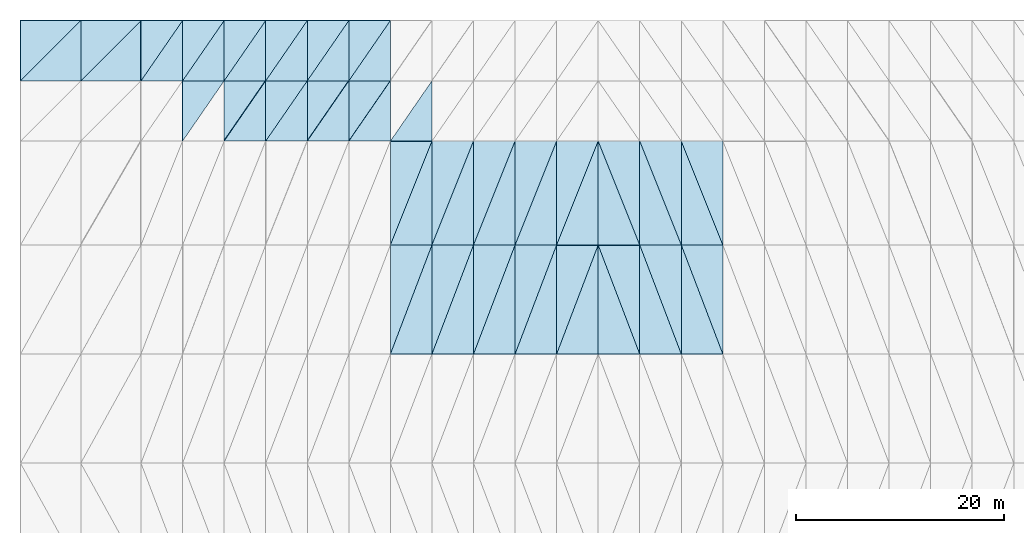
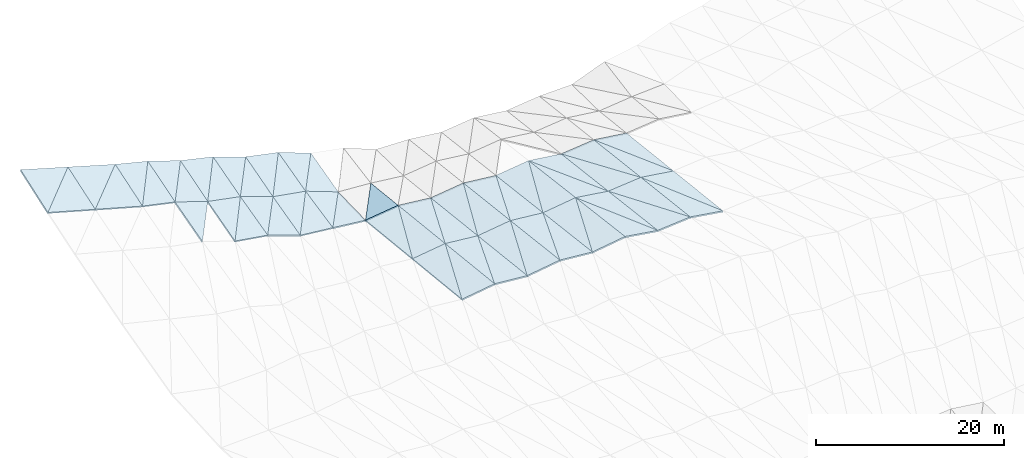
# One storey, part 30 of 42: 58 slabs, 3 elements without a shape of their own.
"""IFC4 building model written with IfcOpenShell, lengths in metres."""

import ifcopenshell
import ifcopenshell.guid

model = None  # the IFC model being written
_history = None  # IfcOwnerHistory: only IFC2X3 demands one
_inside = {}  # id of a spatial element -> (the spatial element, [elements in it])
_under = {}  # id of a project, library or spatial element -> (it, [spatial elements below it])
_declared = {}  # id of a project -> (the project, [libraries it declares])
_typed = {}  # id of a type object -> (the type object, [elements of that type])
_made_of = {}  # id of a material, layer set ... -> (it, [elements and type objects made of it])


def new_model(schema):
    """Start an empty IFC model of exactly this schema.

    Asked for "IFC4X3", IfcOpenShell would pick the latest addendum, in which some entities
    have other attributes; the version numbers below select the first issue.
    IFC2X3 requires an IfcOwnerHistory on every rooted entity: one is made here for all.
    """
    global model, _history
    if schema == "IFC4X3":
        model = ifcopenshell.file(schema_version=(4, 3, 0, 0))
    else:
        model = ifcopenshell.file(schema=schema)
    _inside.clear()
    _under.clear()
    _declared.clear()
    _typed.clear()
    _made_of.clear()
    _history = None
    if model.schema == "IFC2X3":
        org = make("IfcOrganization", Name="unknown")
        user = make(
            "IfcPersonAndOrganization",
            ThePerson=make("IfcPerson", FamilyName="unknown"),
            TheOrganization=org,
        )
        app = make(
            "IfcApplication",
            ApplicationDeveloper=org,
            Version="unknown",
            ApplicationFullName="unknown",
            ApplicationIdentifier="unknown",
        )
        _history = make(
            "IfcOwnerHistory",
            OwningUser=user,
            OwningApplication=app,
            ChangeAction="ADDED",
            CreationDate=0,
        )
    return model


def make(cls, **values):
    """One entity of the class cls with the attributes given. An attribute that is None is left unset."""
    return model.create_entity(
        cls, **{name: value for name, value in values.items() if value is not None}
    )


def rooted(cls, **values):
    """An entity with a GlobalId (a new one), such as an element, a storey or a relation."""
    return make(cls, GlobalId=ifcopenshell.guid.new(), OwnerHistory=_history, **values)


def si_unit(unit_type, name, prefix=None):
    """IfcSIUnit, for example si_unit("LENGTHUNIT", "METRE", prefix="MILLI")."""
    return make("IfcSIUnit", UnitType=unit_type, Prefix=prefix, Name=name)


def assignment(units):
    """IfcUnitAssignment: the units of a project."""
    return None if units is None else make("IfcUnitAssignment", Units=units)


def point(xyz):
    """IfcCartesianPoint."""
    return None if xyz is None else make("IfcCartesianPoint", Coordinates=xyz)


def direction(xyz):
    """IfcDirection."""
    return None if xyz is None else make("IfcDirection", DirectionRatios=xyz)


def frame(location, z_axis=None, x_axis=None):
    """IfcAxis2Placement3D, a coordinate frame: its origin and axes. An axis left out is left unset."""
    return make(
        "IfcAxis2Placement3D",
        Location=point(location),
        Axis=direction(z_axis),
        RefDirection=direction(x_axis),
    )


def origin():
    """The frame at (0, 0, 0) with its axes left unset."""
    return frame((0.0, 0.0, 0.0))


def place(relative_to, where):
    """IfcLocalPlacement: puts the frame where relative to a parent placement (None: the world)."""
    return make(
        "IfcLocalPlacement", PlacementRelTo=relative_to, RelativePlacement=where
    )


def context(
    kind, dimensions, precision=None, world=None, true_north=None, identifier=None
):
    """IfcGeometricRepresentationContext, for example the 3D "Model" context."""
    return make(
        "IfcGeometricRepresentationContext",
        ContextIdentifier=identifier,
        ContextType=kind,
        CoordinateSpaceDimension=dimensions,
        Precision=precision,
        WorldCoordinateSystem=world,
        TrueNorth=true_north,
    )


def subcontext(parent, identifier, kind, view, scale=None):
    """IfcGeometricRepresentationSubContext, for example "Body" below "Model"."""
    return make(
        "IfcGeometricRepresentationSubContext",
        ContextIdentifier=identifier,
        ContextType=kind,
        ParentContext=parent,
        TargetScale=scale,
        TargetView=view,
    )


def project(units=None, contexts=None):
    """IfcProject with its units and contexts."""
    return rooted(
        "IfcProject",
        Name="project",
        RepresentationContexts=contexts,
        UnitsInContext=assignment(units),
    )


def spatial(cls, under=None, at=None, **own):
    """A site, building, storey or space (cls), placed at a placement, below another one or the project."""
    s = rooted(cls, ObjectPlacement=at, **own)
    if under is not None:
        _under.setdefault(under.id(), (under, []))[1].append(s)
    return s


def polyline(points):
    """IfcPolyline through the points."""
    return make("IfcPolyline", Points=[point(p) for p in points])


def outline(outer, holes=None, kind="AREA"):
    """IfcArbitraryClosedProfileDef: a profile drawn as a closed curve; with holes, ...WithVoids."""
    if holes is None:
        return make("IfcArbitraryClosedProfileDef", ProfileType=kind, OuterCurve=outer)
    return make(
        "IfcArbitraryProfileDefWithVoids",
        ProfileType=kind,
        OuterCurve=outer,
        InnerCurves=holes,
    )


def extrude(swept, where, along, depth):
    """IfcExtrudedAreaSolid: the profile swept, set in the frame where, extruded along a direction by depth."""
    return make(
        "IfcExtrudedAreaSolid",
        SweptArea=swept,
        Position=where,
        ExtrudedDirection=direction(along),
        Depth=depth,
    )


def shape(context_of_items, identifier, shape_type, items):
    """IfcShapeRepresentation: the items that make up one representation, for example the "Body"."""
    return make(
        "IfcShapeRepresentation",
        ContextOfItems=context_of_items,
        RepresentationIdentifier=identifier,
        RepresentationType=shape_type,
        Items=items,
    )


def material(Name=None, Category=None):
    """IfcMaterial."""
    return make("IfcMaterial", Name=Name, Category=Category)


def layer(
    of_material, thickness, ventilated=None, Name=None, Category=None, Priority=None
):
    """IfcMaterialLayer: one layer of a wall or slab, of a material (None: an air gap)."""
    return make(
        "IfcMaterialLayer",
        Material=of_material,
        LayerThickness=thickness,
        IsVentilated=ventilated,
        Name=Name,
        Category=Category,
        Priority=Priority,
    )


def layer_set(layers, Name=None):
    """IfcMaterialLayerSet."""
    return make("IfcMaterialLayerSet", MaterialLayers=layers, LayerSetName=Name)


def made_of(thing, what):
    """Note that an element or type object is made of a material, layer set ...; save() writes the relation."""
    if what is not None:
        _made_of.setdefault(what.id(), (what, []))[1].append(thing)
    return thing


def type_object(cls, material=None, **own):
    """A type object (cls), such as IfcWallType, which elements share."""
    return made_of(rooted(cls, **own), material)


def element(
    cls,
    number,
    at=None,
    inside=None,
    cuts=None,
    type_object=None,
    material=None,
    context=None,
    identifier="Body",
    shape_type=None,
    held_by="IfcProductDefinitionShape",
    body=None,
    shapes=None,
    **own,
):
    """One element of the class cls, such as IfcWall. Its Tag is "e" and its number.

    at: its placement. inside: the storey or other place that contains it. cuts: it is an
    opening in that element (IfcRelVoidsElement). A single representation is given by context,
    identifier, shape_type and body (its items); several are given by shapes. held_by: the class
    of the entity that holds the representations. save() writes the other relations.
    """
    e = rooted(cls, Tag="e%d" % number, ObjectPlacement=at, **own)
    if body is not None:
        shapes = [shape(context, identifier, shape_type, body)]
    if shapes is not None:
        e.Representation = make(held_by, Representations=shapes)
    if inside is not None:
        _inside.setdefault(inside.id(), (inside, []))[1].append(e)
    if cuts is not None:
        rooted(
            "IfcRelVoidsElement", RelatingBuildingElement=cuts, RelatedOpeningElement=e
        )
    if type_object is not None:
        _typed.setdefault(type_object.id(), (type_object, []))[1].append(e)
    return made_of(e, material)


def aggregate(whole, parts):
    """IfcRelAggregates: a whole, such as a stair, and the parts it consists of."""
    return rooted("IfcRelAggregates", RelatingObject=whole, RelatedObjects=parts)


def save(model, path):
    """Write the relations noted so far, then the file.

    IfcRelAggregates (storeys below a building ...), IfcRelContainedInSpatialStructure (elements
    in a storey), IfcRelDefinesByType, IfcRelAssociatesMaterial and IfcRelDeclares: one each for
    every whole, place, type object, material and project.
    """
    for whole, parts in _under.values():
        aggregate(whole, parts)
    for where, things in _inside.values():
        rooted(
            "IfcRelContainedInSpatialStructure",
            RelatedElements=things,
            RelatingStructure=where,
        )
    for kind, things in _typed.values():
        rooted("IfcRelDefinesByType", RelatedObjects=things, RelatingType=kind)
    for what, things in _made_of.values():
        rooted("IfcRelAssociatesMaterial", RelatedObjects=things, RelatingMaterial=what)
    for by, libraries in _declared.values():
        rooted("IfcRelDeclares", RelatingContext=by, RelatedDefinitions=libraries)
    model.write(path)


model = new_model("IFC4")

# Units and contexts
model_context = context("Model", 3, precision=1e-05, world=origin(), true_north=direction((0.0, 1.0)))
body_context = subcontext(model_context, "Body", "Model", "MODEL_VIEW")
ifc_project = project(units=[si_unit("LENGTHUNIT", "METRE"), si_unit("AREAUNIT", "SQUARE_METRE"), si_unit("VOLUMEUNIT", "CUBIC_METRE"), si_unit("PLANEANGLEUNIT", "RADIAN"), si_unit("MASSUNIT", "GRAM", prefix="KILO")], contexts=[model_context])

# Site, building, storey
site_placement = place(None, origin())
site = spatial("IfcSite", under=ifc_project, at=site_placement, CompositionType="ELEMENT")
building_placement = place(site_placement, origin())
building = spatial("IfcBuilding", under=site, at=building_placement, Name="Khorjan Park Terminus", CompositionType="ELEMENT")
storey_placement = place(building_placement, frame((0.0, 0.0, 20.4)))
storey = spatial("IfcBuildingStorey", under=building, at=storey_placement, Name="L04", CompositionType="ELEMENT", Elevation=20.4)

# Roof, slabs
ifc_material = material(Name="Concrete C50/60", Category="concrete")
ifc_layer_1 = layer(ifc_material, 0.18)
ifc_layer_set_1 = layer_set([ifc_layer_1], Name="Concrete C50/60")
roof_type = type_object("IfcRoofType", Name="RF-SHELL-UPPER", PredefinedType="FREEFORM", material=ifc_layer_set_1)
roof_1_placement = place(storey_placement, origin())
roof_1 = element("IfcRoof", 1, at=roof_1_placement, inside=storey, type_object=roof_type, Name="Upper concourse upturned-corner folded concrete shell roof RF-CS1 (1)", PredefinedType="FREEFORM")
ifc_layer_2 = layer(ifc_material, 0.18)
ifc_layer_set_2 = layer_set([ifc_layer_2], Name="Concrete C50/60")
slab_type = type_object("IfcSlabType", Name="SL-SHL-180", PredefinedType="ROOF", material=ifc_layer_set_2)
slab_1_placement = place(storey_placement, frame((36.4, 93.8, 11.3523), z_axis=(0.255371541457, -0.310436819436, 0.915649691177), x_axis=(0.963239486929, 0.0, -0.268644171389)))
slab_1 = element("IfcSlab", 2, at=slab_1_placement, type_object=slab_type, Name="Upper concourse folded concrete shell facet RS-18 (19)", PredefinedType="ROOF", context=body_context, shape_type="SweptSolid", body=[
    extrude(outline(polyline([(0.0, 0.0), (6.021347835825469, 1.1102230246251565e-16), (5.49308593720623, 6.101448051607683), (0.0, 0.0)])), origin(), (0.0, 0.0, -1.0), 0.18),
])
slab_2_placement = place(storey_placement, frame((36.4, 93.8, 11.3523), z_axis=(0.263585106078, -0.318346250279, 0.910592420783), x_axis=(0.706468321519, 0.706468321519, 0.042485543198)))
slab_2 = element("IfcSlab", 3, at=slab_2_placement, type_object=slab_type, Name="Upper concourse folded concrete shell facet RS-18 (20)", PredefinedType="ROOF", context=body_context, shape_type="SweptSolid", body=[
    extrude(outline(polyline([(0.0, 0.0), (8.2098514870855, 5.551115123125783e-16), (4.183664200750755, 4.499835679817265), (0.0, 0.0)])), origin(), (0.0, 0.0, -1.0), 0.18),
])
slab_3_placement = place(storey_placement, frame((42.2, 93.8, 9.7347), z_axis=(0.254949295013, -0.300491235088, 0.919078818496), x_axis=(0.963612582455, 0.0, -0.267302807571)))
slab_3 = element("IfcSlab", 4, at=slab_3_placement, type_object=slab_type, Name="Upper concourse folded concrete shell facet RS-18 (39)", PredefinedType="ROOF", context=body_context, shape_type="SweptSolid", body=[
    extrude(outline(polyline([(0.0, 0.0), (6.019016465337171, 0.0), (5.512130151340505, 6.08103773665999), (0.0, 0.0)])), origin(), (0.0, 0.0, -1.0), 0.18),
])
slab_4_placement = place(storey_placement, frame((42.2, 93.8, 9.7347), z_axis=(0.264398728306, -0.30965673576, 0.913348793435), x_axis=(0.70667312765, 0.70667312765, 0.035016871877)))
slab_4 = element("IfcSlab", 5, at=slab_4_placement, type_object=slab_type, Name="Upper concourse folded concrete shell facet RS-18 (40)", PredefinedType="ROOF", context=body_context, shape_type="SweptSolid", body=[
    extrude(outline(polyline([(0.0, 0.0), (8.207472129712043, -1.6653345369377348e-16), (4.167561317226191, 4.487556309079572), (0.0, 0.0)])), origin(), (0.0, 0.0, -1.0), 0.18),
])
slab_5_placement = place(storey_placement, frame((48.0, 93.8, 8.1258), z_axis=(0.202728499291, -0.285423457833, 0.936714793998), x_axis=(0.977371995553, 0.0, -0.211527734137)))
slab_5 = element("IfcSlab", 6, at=slab_5_placement, type_object=slab_type, Name="Upper concourse folded concrete shell facet RS-18 (59)", PredefinedType="ROOF", context=body_context, shape_type="SweptSolid", body=[
    extrude(outline(polyline([(0.0, 0.0), (4.09260754165361, -2.7755575615628914e-17), (3.71877457711242, 6.051743402080289), (0.0, 0.0)])), origin(), (0.0, 0.0, -1.0), 0.18),
])
slab_6_placement = place(storey_placement, frame((48.0, 93.8, 8.1258), z_axis=(0.230024559333, -0.302427397526, 0.925000741259), x_axis=(0.563140807519, 0.816554170903, 0.126931938015)))
slab_6 = element("IfcSlab", 7, at=slab_6_placement, type_object=slab_type, Name="Upper concourse folded concrete shell facet RS-18 (60)", PredefinedType="ROOF", context=body_context, shape_type="SweptSolid", body=[
    extrude(outline(polyline([(0.0, 0.0), (7.103019256626014, 3.3306690738754696e-16), (4.976715225292988, 3.531042233723201), (0.0, 0.0)])), origin(), (0.0, 0.0, -1.0), 0.18),
])
slab_7_placement = place(storey_placement, frame((52.0, 88.0, 5.6505), z_axis=(0.306984365035, -0.254498742736, 0.917055608766), x_axis=(0.567314684787, 0.822606292941, 0.038378838426)))
slab_7 = element("IfcSlab", 8, at=slab_7_placement, type_object=slab_type, Name="Upper concourse folded concrete shell facet RS-18 (78)", PredefinedType="ROOF", context=body_context, shape_type="SweptSolid", body=[
    extrude(outline(polyline([(0.0, 0.0), (7.050760551883745, 6.661338147750939e-16), (4.832891077388246, 3.588032329021167), (0.0, 0.0)])), origin(), (0.0, 0.0, -1.0), 0.18),
])
slab_8_placement = place(storey_placement, frame((52.0, 93.8, 7.2601), z_axis=(0.304722123634, -0.280183325236, 0.910297606076), x_axis=(0.948279508814, 0.0, -0.317436565575)))
slab_8 = element("IfcSlab", 9, at=slab_8_placement, type_object=slab_type, Name="Upper concourse folded concrete shell facet RS-18 (79)", PredefinedType="ROOF", context=body_context, shape_type="SweptSolid", body=[
    extrude(outline(polyline([(0.0, 0.0), (4.218165596559718, 0.0), (3.6514778396946097, 6.0420033123310315), (0.0, 0.0)])), origin(), (0.0, 0.0, -1.0), 0.18),
])
slab_9_placement = place(storey_placement, frame((52.0, 93.8, 7.2601), z_axis=(0.301256550335, -0.277934898247, 0.912138521945), x_axis=(0.566597847048, 0.82156687822, 0.063203989838)))
slab_9 = element("IfcSlab", 10, at=slab_9_placement, type_object=slab_type, Name="Upper concourse folded concrete shell facet RS-18 (80)", PredefinedType="ROOF", context=body_context, shape_type="SweptSolid", body=[
    extrude(outline(polyline([(0.0, 0.0), (7.059680902137147, 4.440892098500626e-16), (4.876788304918648, 3.6028162760552576), (0.0, 0.0)])), origin(), (0.0, 0.0, -1.0), 0.18),
])
slab_10_placement = place(storey_placement, frame((56.0, 88.0, 4.301), z_axis=(0.150588125048, -0.243685768742, 0.958092095107), x_axis=(0.987872255403, 0.0, -0.155268821743)))
slab_10 = element("IfcSlab", 11, at=slab_10_placement, type_object=slab_type, Name="Upper concourse folded concrete shell facet RS-18 (97)", PredefinedType="ROOF", context=body_context, shape_type="SweptSolid", body=[
    extrude(outline(polyline([(0.0, 0.0), (4.049106529840874, 2.7755575615628914e-17), (3.820053964005701, 5.980280090604813), (0.0, 0.0)])), origin(), (0.0, 0.0, -1.0), 0.18),
])
slab_11_placement = place(storey_placement, frame((56.0, 88.0, 4.301), z_axis=(0.183120010139, -0.264480198647, 0.946845967626), x_axis=(0.56367912846, 0.817334736267, 0.11928859556)))
slab_11 = element("IfcSlab", 12, at=slab_11_placement, type_object=slab_type, Name="Upper concourse folded concrete shell facet RS-18 (98)", PredefinedType="ROOF", context=body_context, shape_type="SweptSolid", body=[
    extrude(outline(polyline([(0.0, 0.0), (7.096235780327482, 3.885780586188048e-16), (4.933800924013864, 3.4528730721241288), (0.0, 0.0)])), origin(), (0.0, 0.0, -1.0), 0.18),
])
slab_12_placement = place(storey_placement, frame((56.0, 93.8, 5.9211), z_axis=(0.182899528661, -0.268678318411, 0.945705939302), x_axis=(0.981807019959, 0.0, -0.18988147766)))
slab_12 = element("IfcSlab", 13, at=slab_12_placement, type_object=slab_type, Name="Upper concourse folded concrete shell facet RS-18 (99)", PredefinedType="ROOF", context=body_context, shape_type="SweptSolid", body=[
    extrude(outline(polyline([(0.0, 0.0), (4.074120390955574, -2.7755575615628914e-17), (3.7612336920671754, 6.02140737316939), (0.0, 0.0)])), origin(), (0.0, 0.0, -1.0), 0.18),
])
slab_13_placement = place(storey_placement, frame((56.0, 93.8, 5.9211), z_axis=(0.212692000557, -0.287442945906, 0.933883646793), x_axis=(0.563412551479, 0.816948199644, 0.123133813126)))
slab_13 = element("IfcSlab", 14, at=slab_13_placement, type_object=slab_type, Name="Upper concourse folded concrete shell facet RS-18 (100)", PredefinedType="ROOF", context=body_context, shape_type="SweptSolid", body=[
    extrude(outline(polyline([(0.0, 0.0), (7.099593343283824, 5.551115123125783e-17), (4.958118041126901, 3.499143399498214), (0.0, 0.0)])), origin(), (0.0, 0.0, -1.0), 0.18),
])
slab_14_placement = place(storey_placement, frame((60.0, 88.0, 3.6723), z_axis=(0.324587654526, -0.233461953105, 0.916590623442), x_axis=(0.942639584618, 0.0, -0.333812242903)))
slab_14 = element("IfcSlab", 15, at=slab_14_placement, type_object=slab_type, Name="Upper concourse folded concrete shell facet RS-18 (117)", PredefinedType="ROOF", context=body_context, shape_type="SweptSolid", body=[
    extrude(outline(polyline([(0.0, 0.0), (4.243403380542557, 0.0), (3.7502625541023327, 5.964832555512169), (0.0, 0.0)])), origin(), (0.0, 0.0, -1.0), 0.18),
])
slab_15_placement = place(storey_placement, frame((60.0, 88.0, 3.6723), z_axis=(0.324182150725, -0.233184539685, 0.916804724902), x_axis=(0.567711817738, 0.82318213572, 0.00862921963)))
slab_15 = element("IfcSlab", 16, at=slab_15_placement, type_object=slab_type, Name="Upper concourse folded concrete shell facet RS-18 (118)", PredefinedType="ROOF", context=body_context, shape_type="SweptSolid", body=[
    extrude(outline(polyline([(0.0, 0.0), (7.045828314683801, -8.534839501805891e-16), (4.787186211975373, 3.5915265851546816), (0.0, 0.0)])), origin(), (0.0, 0.0, -1.0), 0.18),
])
slab_16_placement = place(storey_placement, frame((60.0, 93.8, 5.1475), z_axis=(0.321894998392, -0.260136512295, 0.910336533915), x_axis=(0.942795230781, 0.0, -0.333372393604)))
slab_16 = element("IfcSlab", 17, at=slab_16_placement, type_object=slab_type, Name="Upper concourse folded concrete shell facet RS-18 (119)", PredefinedType="ROOF", context=body_context, shape_type="SweptSolid", body=[
    extrude(outline(polyline([(0.0, 0.0), (4.2427028366360995, 5.551115123125783e-17), (3.690171431476773, 6.006803126981326), (0.0, 0.0)])), origin(), (0.0, 0.0, -1.0), 0.18),
])
slab_17_placement = place(storey_placement, frame((60.0, 93.8, 5.1475), z_axis=(0.320059797691, -0.258912563151, 0.911331997981), x_axis=(0.567395584892, 0.822723598093, 0.034469281782)))
slab_17 = element("IfcSlab", 18, at=slab_17_placement, type_object=slab_type, Name="Upper concourse folded concrete shell facet RS-18 (120)", PredefinedType="ROOF", context=body_context, shape_type="SweptSolid", body=[
    extrude(outline(polyline([(0.0, 0.0), (7.04975524397833, 9.020562075079397e-16), (4.828595351459354, 3.61108180077177), (0.0, 0.0)])), origin(), (0.0, 0.0, -1.0), 0.18),
])
slab_18_placement = place(storey_placement, frame((64.0, 88.0, 2.2558), z_axis=(0.100756100536, -0.203104120929, 0.973959405862), x_axis=(0.994691618291, 0.0, -0.102900847912)))
slab_18 = element("IfcSlab", 19, at=slab_18_placement, type_object=slab_type, Name="Upper concourse folded concrete shell facet RS-18 (137)", PredefinedType="ROOF", context=body_context, shape_type="SweptSolid", body=[
    extrude(outline(polyline([(0.0, 0.0), (4.021346844031238, -1.3877787807814457e-17), (3.896888268481392, 5.9234618520736735), (0.0, 0.0)])), origin(), (0.0, 0.0, -1.0), 0.18),
])
slab_19_placement = place(storey_placement, frame((64.0, 88.0, 2.2558), z_axis=(0.162921516608, -0.243528367821, 0.956112186667), x_axis=(0.564146622054, 0.818012601978, 0.112222866792)))
slab_19 = element("IfcSlab", 20, at=slab_19_placement, type_object=slab_type, Name="Upper concourse folded concrete shell facet RS-18 (138)", PredefinedType="ROOF", context=body_context, shape_type="SweptSolid", body=[
    extrude(outline(polyline([(0.0, 0.0), (7.090355314792057, 8.604228440844963e-16), (4.910259932582944, 3.4222452694788705), (0.0, 0.0)])), origin(), (0.0, 0.0, -1.0), 0.18),
])
slab_20_placement = place(storey_placement, frame((64.0, 93.8, 3.7331), z_axis=(0.162694380811, -0.248851683131, 0.954779230113), x_axis=(0.985790621278, 0.0, -0.167978721866)))
slab_20 = element("IfcSlab", 21, at=slab_20_placement, type_object=slab_type, Name="Upper concourse folded concrete shell facet RS-18 (139)", PredefinedType="ROOF", context=body_context, shape_type="SweptSolid", body=[
    extrude(outline(polyline([(0.0, 0.0), (4.057656781937083, 2.7755575615628914e-17), (3.80372334809251, 5.98838498271244), (0.0, 0.0)])), origin(), (0.0, 0.0, -1.0), 0.18),
])
slab_21_placement = place(storey_placement, frame((64.0, 93.8, 3.7331), z_axis=(0.19504550156, -0.26948354163, 0.94304606097), x_axis=(0.563833084628, 0.81755797271, 0.117009460887)))
slab_21 = element("IfcSlab", 22, at=slab_21_placement, type_object=slab_type, Name="Upper concourse folded concrete shell facet RS-18 (140)", PredefinedType="ROOF", context=body_context, shape_type="SweptSolid", body=[
    extrude(outline(polyline([(0.0, 0.0), (7.0942981337127335, 2.220446049250313e-16), (4.935767722193933, 3.467732941353542), (0.0, 0.0)])), origin(), (0.0, 0.0, -1.0), 0.18),
])
aggregate(roof_1, [slab_1, slab_2, slab_3, slab_4, slab_5, slab_6, slab_7, slab_8, slab_9, slab_10, slab_11, slab_12, slab_13, slab_14, slab_15, slab_16, slab_17, slab_18, slab_19, slab_20, slab_21])

roof_2_placement = place(storey_placement, origin())
roof_2 = element("IfcRoof", 23, at=roof_2_placement, inside=storey, type_object=roof_type, Name="Upper concourse upturned-corner folded concrete shell roof RF-CS1 (2)", PredefinedType="FREEFORM")
slab_22_placement = place(storey_placement, frame((68.0, 88.0, 1.842), z_axis=(0.106701894098, -0.025551695887, 0.993962683723), x_axis=(0.994287316425, 0.0, -0.106736743418)))
slab_22 = element("IfcSlab", 24, at=slab_22_placement, type_object=slab_type, Name="Upper concourse folded concrete shell facet RS-18 (157)", PredefinedType="ROOF", context=body_context, shape_type="SweptSolid", body=[
    extrude(outline(polyline([(0.0, 0.0), (4.022982023325484, -1.734723475976807e-18), (4.00706757488182, 5.80189430620127), (0.0, 0.0)])), origin(), (0.0, 0.0, -1.0), 0.18),
])
slab_23_placement = place(storey_placement, frame((68.0, 88.0, 1.842), z_axis=(0.342548023853, -0.191792388171, 0.919715462083), x_axis=(0.5672841966, 0.82256208507, -0.039752440077)))
slab_23 = element("IfcSlab", 25, at=slab_23_placement, type_object=slab_type, Name="Upper concourse folded concrete shell facet RS-18 (158)", PredefinedType="ROOF", context=body_context, shape_type="SweptSolid", body=[
    extrude(outline(polyline([(0.0, 0.0), (7.051139488763498, 4.0245584642661925e-16), (4.722779517135846, 3.5774633307026464), (0.0, 0.0)])), origin(), (0.0, 0.0, -1.0), 0.18),
])
slab_24_placement = place(storey_placement, frame((68.0, 93.8, 3.0515), z_axis=(0.339044014736, -0.237464688292, 0.91030746338), x_axis=(0.937112467786, 0.0, -0.349027538627)))
slab_24 = element("IfcSlab", 26, at=slab_24_placement, type_object=slab_type, Name="Upper concourse folded concrete shell facet RS-18 (159)", PredefinedType="ROOF", context=body_context, shape_type="SweptSolid", body=[
    extrude(outline(polyline([(0.0, 0.0), (4.268431098190528, 0.0), (3.7403524322480135, 5.970787378778141), (0.0, 0.0)])), origin(), (0.0, 0.0, -1.0), 0.18),
])
slab_25_placement = place(storey_placement, frame((68.0, 93.8, 3.0515), z_axis=(0.338798545373, -0.237295940621, 0.910442849507), x_axis=(0.567729877902, 0.823208322958, 0.003292833292)))
slab_25 = element("IfcSlab", 27, at=slab_25_placement, type_object=slab_type, Name="Upper concourse folded concrete shell facet RS-18 (160)", PredefinedType="ROOF", context=body_context, shape_type="SweptSolid", body=[
    extrude(outline(polyline([(0.0, 0.0), (7.0456041784931385, 4.3368086899420177e-16), (4.7795860492410105, 3.6167380452419686), (0.0, 0.0)])), origin(), (0.0, 0.0, -1.0), 0.18),
])
slab_26_placement = place(storey_placement, frame((72.0, 67.5, 3.5908), z_axis=(-0.149531651523, 0.108453327462, 0.982791005736), x_axis=(0.988622353186, 0.0, 0.150418891037)))
slab_26 = element("IfcSlab", 28, at=slab_26_placement, type_object=slab_type, Name="Upper concourse folded concrete shell facet RS-18 (173)", PredefinedType="ROOF", context=body_context, shape_type="SweptSolid", body=[
    extrude(outline(polyline([(0.0, 0.0), (4.046034349829473, 0.0), (3.8717439807846024, 10.562301290782148), (0.0, 0.0)])), origin(), (0.0, 0.0, -1.0), 0.18),
])
slab_27_placement = place(storey_placement, frame((72.0, 67.5, 3.5908), z_axis=(-0.139238762803, 0.104633048871, 0.984715437077), x_axis=(0.355569448482, 0.933369802265, -0.048899688402)))
slab_27 = element("IfcSlab", 29, at=slab_27_placement, type_object=slab_type, Name="Upper concourse folded concrete shell facet RS-18 (174)", PredefinedType="ROOF", context=body_context, shape_type="SweptSolid", body=[
    extrude(outline(polyline([(0.0, 0.0), (11.2495604363015, 4.718447854656915e-16), (9.854940306134175, 3.7914295526268287), (0.0, 0.0)])), origin(), (0.0, 0.0, -1.0), 0.18),
])
slab_28_placement = place(storey_placement, frame((72.0, 78.0, 2.4751), z_axis=(-0.139178804369, 0.108626399223, 0.984291402892), x_axis=(0.990150474603, 0.0, 0.140007277109)))
slab_28 = element("IfcSlab", 30, at=slab_28_placement, type_object=slab_type, Name="Upper concourse folded concrete shell facet RS-18 (175)", PredefinedType="ROOF", context=body_context, shape_type="SweptSolid", body=[
    extrude(outline(polyline([(0.0, 0.0), (4.039790014344805, -1.3877787807814457e-17), (3.8852779833274615, 10.059525783667485), (0.0, 0.0)])), origin(), (0.0, 0.0, -1.0), 0.18),
])
slab_29_placement = place(storey_placement, frame((72.0, 78.0, 2.4751), z_axis=(-0.129296562472, 0.104768425264, 0.986055767186), x_axis=(0.370928193379, 0.927320483447, -0.049889842009)))
slab_29 = element("IfcSlab", 31, at=slab_29_placement, type_object=slab_type, Name="Upper concourse folded concrete shell facet RS-18 (176)", PredefinedType="ROOF", context=body_context, shape_type="SweptSolid", body=[
    extrude(outline(polyline([(0.0, 0.0), (10.783758342989703, -4.0245584642661925e-16), (9.326212791607997, 3.7617364628117427), (0.0, 0.0)])), origin(), (0.0, 0.0, -1.0), 0.18),
])
slab_30_placement = place(storey_placement, frame((72.0, 88.0, 1.4126), z_axis=(-0.129240848662, 0.108759269115, 0.985630876352), x_axis=(0.9915124119, 0.0, 0.13001206501)))
slab_30 = element("IfcSlab", 32, at=slab_30_placement, type_object=slab_type, Name="Upper concourse folded concrete shell facet RS-18 (177)", PredefinedType="ROOF", context=body_context, shape_type="SweptSolid", body=[
    extrude(outline(polyline([(0.0, 0.0), (4.034240975697907, -6.938893903907228e-18), (3.95103325409126, 5.834610224776373), (0.0, 0.0)])), origin(), (0.0, 0.0, -1.0), 0.18),
])
slab_31_placement = place(storey_placement, frame((76.0, 67.5, 4.1994), z_axis=(0.085451349086, 0.113298780999, 0.989879514468), x_axis=(0.996294693349, 0.0, -0.086005139403)))
slab_31 = element("IfcSlab", 33, at=slab_31_placement, type_object=slab_type, Name="Upper concourse folded concrete shell facet RS-18 (193)", PredefinedType="ROOF", context=body_context, shape_type="SweptSolid", body=[
    extrude(outline(polyline([(0.0, 0.0), (4.014876348033647, 0.0), (4.118237324568639, 10.568048057637219), (0.0, 0.0)])), origin(), (0.0, 0.0, -1.0), 0.18),
])
slab_32_placement = place(storey_placement, frame((76.0, 67.5, 4.1994), z_axis=(0.096067723655, 0.109179217693, 0.989368935684), x_axis=(0.352667985082, 0.925753460841, -0.13640315993)))
slab_32 = element("IfcSlab", 34, at=slab_32_placement, type_object=slab_type, Name="Upper concourse folded concrete shell facet RS-18 (194)", PredefinedType="ROOF", context=body_context, shape_type="SweptSolid", body=[
    extrude(outline(polyline([(0.0, 0.0), (11.342112607887474, 4.579669976578771e-16), (9.878461680241465, 3.7428038316215524), (0.0, 0.0)])), origin(), (0.0, 0.0, -1.0), 0.18),
])
slab_33_placement = place(storey_placement, frame((76.0, 78.0, 3.0407), z_axis=(0.096024334606, 0.113192022029, 0.988922086573), x_axis=(0.995318870818, 0.0, -0.096645462356)))
slab_33 = element("IfcSlab", 35, at=slab_33_placement, type_object=slab_type, Name="Upper concourse folded concrete shell facet RS-18 (195)", PredefinedType="ROOF", context=body_context, shape_type="SweptSolid", body=[
    extrude(outline(polyline([(0.0, 0.0), (4.01881258085022, 0.0), (4.1294329770633595, 10.064684410747397), (0.0, 0.0)])), origin(), (0.0, 0.0, -1.0), 0.18),
])
slab_34_placement = place(storey_placement, frame((76.0, 78.0, 3.0407), z_axis=(0.106099902811, 0.109074851181, 0.988354940021), x_axis=(0.367684817176, 0.919212042939, -0.140915206183)))
slab_34 = element("IfcSlab", 36, at=slab_34_placement, type_object=slab_type, Name="Upper concourse folded concrete shell facet RS-18 (196)", PredefinedType="ROOF", context=body_context, shape_type="SweptSolid", body=[
    extrude(outline(polyline([(0.0, 0.0), (10.87888270917561, -3.7470027081099033e-16), (9.347634450937667, 3.7201697718845135), (0.0, 0.0)])), origin(), (0.0, 0.0, -1.0), 0.18),
])
slab_35_placement = place(storey_placement, frame((80.0, 67.5, 3.8541), z_axis=(-0.149396287227, 0.116406740429, 0.981901329129), x_axis=(0.988622353186, 0.0, 0.150418891037)))
slab_35 = element("IfcSlab", 37, at=slab_35_placement, type_object=slab_type, Name="Upper concourse folded concrete shell facet RS-18 (213)", PredefinedType="ROOF", context=body_context, shape_type="SweptSolid", body=[
    extrude(outline(polyline([(0.0, 0.0), (4.046034349829473, 0.0), (3.858792914266294, 10.571871531796452), (0.0, 0.0)])), origin(), (0.0, 0.0, -1.0), 0.18),
])
slab_36_placement = place(storey_placement, frame((80.0, 67.5, 3.8541), z_axis=(-0.139116744555, 0.112608946997, 0.983852507463), x_axis=(0.355426045485, 0.932993369399, -0.056530512534)))
slab_36 = element("IfcSlab", 38, at=slab_36_placement, type_object=slab_type, Name="Upper concourse folded concrete shell facet RS-18 (214)", PredefinedType="ROOF", context=body_context, shape_type="SweptSolid", body=[
    extrude(outline(polyline([(0.0, 0.0), (11.254099272709478, -1.5265566588595902e-16), (9.864368748657103, 3.7932245425913185), (0.0, 0.0)])), origin(), (0.0, 0.0, -1.0), 0.18),
])
slab_37_placement = place(storey_placement, frame((80.0, 78.0, 2.6523), z_axis=(-0.139052419173, 0.116591618226, 0.983397589626), x_axis=(0.990150474603, 0.0, 0.140007277109)))
slab_37 = element("IfcSlab", 39, at=slab_37_placement, type_object=slab_type, Name="Upper concourse folded concrete shell facet RS-18 (215)", PredefinedType="ROOF", context=body_context, shape_type="SweptSolid", body=[
    extrude(outline(polyline([(0.0, 0.0), (4.039790014344805, 0.0), (3.8737973866045348, 10.068668919352541), (0.0, 0.0)])), origin(), (0.0, 0.0, -1.0), 0.18),
])
slab_38_placement = place(storey_placement, frame((80.0, 78.0, 2.6523), z_axis=(-0.129207030961, 0.112764290994, 0.985185138858), x_axis=(0.370776845584, 0.926942113959, -0.057470411065)))
slab_38 = element("IfcSlab", 40, at=slab_38_placement, type_object=slab_type, Name="Upper concourse folded concrete shell facet RS-18 (216)", PredefinedType="ROOF", context=body_context, shape_type="SweptSolid", body=[
    extrude(outline(polyline([(0.0, 0.0), (10.788160176786402, 1.6653345369377348e-16), (9.33520177209675, 3.7635245494405516), (0.0, 0.0)])), origin(), (0.0, 0.0, -1.0), 0.18),
])
slab_39_placement = place(storey_placement, frame((84.0, 67.5, 4.4627), z_axis=(0.085369967534, 0.121309578347, 0.988936780004), x_axis=(0.996294693349, 0.0, -0.086005139403)))
slab_39 = element("IfcSlab", 41, at=slab_39_placement, type_object=slab_type, Name="Upper concourse folded concrete shell facet RS-18 (233)", PredefinedType="ROOF", context=body_context, shape_type="SweptSolid", body=[
    extrude(outline(polyline([(0.0, 0.0), (4.014876348033648, 0.0), (4.125650967585212, 10.578122375150668), (0.0, 0.0)])), origin(), (0.0, 0.0, -1.0), 0.18),
])
slab_40_placement = place(storey_placement, frame((84.0, 67.5, 4.4627), z_axis=(0.096004075222, 0.117184161634, 0.988458946949), x_axis=(0.352292801626, 0.924768604269, -0.143849958224)))
slab_40 = element("IfcSlab", 42, at=slab_40_placement, type_object=slab_type, Name="Upper concourse folded concrete shell facet RS-18 (234)", PredefinedType="ROOF", context=body_context, shape_type="SweptSolid", body=[
    extrude(outline(polyline([(0.0, 0.0), (11.354191688094755, -2.636779683484747e-16), (9.889134772819855, 3.7422640854174363), (0.0, 0.0)])), origin(), (0.0, 0.0, -1.0), 0.18),
])
slab_41_placement = place(storey_placement, frame((84.0, 78.0, 3.2179), z_axis=(0.095957754458, 0.12117599572, 0.987982027883), x_axis=(0.995316476949, 0.0, -0.096670112824)))
slab_41 = element("IfcSlab", 43, at=slab_41_placement, type_object=slab_type, Name="Upper concourse folded concrete shell facet RS-18 (235)", PredefinedType="ROOF", context=body_context, shape_type="SweptSolid", body=[
    extrude(outline(polyline([(0.0, 0.0), (4.01882224662898, -6.938893903907228e-18), (4.137388140007242, 10.074236664826147), (0.0, 0.0)])), origin(), (0.0, 0.0, -1.0), 0.18),
])
slab_42_placement = place(storey_placement, frame((84.0, 78.0, 3.2179), z_axis=(0.106002759772, 0.117072074509, 0.987450021161), x_axis=(0.367284489181, 0.918211222954, -0.148291112507)))
slab_42 = element("IfcSlab", 44, at=slab_42_placement, type_object=slab_type, Name="Upper concourse folded concrete shell facet RS-18 (236)", PredefinedType="ROOF", context=body_context, shape_type="SweptSolid", body=[
    extrude(outline(polyline([(0.0, 0.0), (10.890740332961759, 1.249000902703301e-16), (9.357926172525323, 3.7195248499728493), (0.0, 0.0)])), origin(), (0.0, 0.0, -1.0), 0.18),
])
slab_43_placement = place(storey_placement, frame((88.0, 67.5, 4.1174), z_axis=(-0.149251458595, 0.124347020572, 0.980949448536), x_axis=(0.988622353186, 0.0, 0.150418891037)))
slab_43 = element("IfcSlab", 45, at=slab_43_placement, type_object=slab_type, Name="Upper concourse folded concrete shell facet RS-18 (253)", PredefinedType="ROOF", context=body_context, shape_type="SweptSolid", body=[
    extrude(outline(polyline([(0.0, 0.0), (4.046034349829473, 0.0), (3.8458268058588825, 10.582130122963772), (0.0, 0.0)])), origin(), (0.0, 0.0, -1.0), 0.18),
])
slab_44_placement = place(storey_placement, frame((88.0, 67.5, 4.1174), z_axis=(-0.138985859728, 0.120572362989, 0.982926872193), x_axis=(0.355261837, 0.932562322124, -0.064160287762)))
slab_44 = element("IfcSlab", 46, at=slab_44_placement, type_object=slab_type, Name="Upper concourse folded concrete shell facet RS-18 (254)", PredefinedType="ROOF", context=body_context, shape_type="SweptSolid", body=[
    extrude(outline(polyline([(0.0, 0.0), (11.259301122183386, -4.579669976578771e-16), (9.874542832942733, 3.795042534725969), (0.0, 0.0)])), origin(), (0.0, 0.0, -1.0), 0.18),
])
slab_45_placement = place(storey_placement, frame((88.0, 78.0, 2.8294), z_axis=(-0.138917361099, 0.124534403769, 0.982442440585), x_axis=(0.990150474603, 0.0, 0.140007277109)))
slab_45 = element("IfcSlab", 47, at=slab_45_placement, type_object=slab_type, Name="Upper concourse folded concrete shell facet RS-18 (255)", PredefinedType="ROOF", context=body_context, shape_type="SweptSolid", body=[
    extrude(outline(polyline([(0.0, 0.0), (4.039790014344805, 0.0), (3.8623167898816066, 10.078457868870547), (0.0, 0.0)])), origin(), (0.0, 0.0, -1.0), 0.18),
])
slab_46_placement = place(storey_placement, frame((88.0, 78.0, 2.8294), z_axis=(-0.12906124039, 0.120719627331, 0.984261127855), x_axis=(0.370604289654, 0.926510724135, -0.065041052834)))
slab_46 = element("IfcSlab", 48, at=slab_46_placement, type_object=slab_type, Name="Upper concourse folded concrete shell facet RS-18 (256)", PredefinedType="ROOF", context=body_context, shape_type="SweptSolid", body=[
    extrude(outline(polyline([(0.0, 0.0), (10.79318321905081, -2.914335439641036e-16), (9.34488009264704, 3.7653045433336545), (0.0, 0.0)])), origin(), (0.0, 0.0, -1.0), 0.18),
])
slab_47_placement = place(storey_placement, frame((92.0, 67.5, 4.726), z_axis=(0.149251458595, 0.124347020572, 0.980949448536), x_axis=(0.988622353186, 0.0, -0.150418891037)))
slab_47 = element("IfcSlab", 49, at=slab_47_placement, type_object=slab_type, Name="Upper concourse folded concrete shell facet RS-18 (273)", PredefinedType="ROOF", context=body_context, shape_type="SweptSolid", body=[
    extrude(outline(polyline([(0.0, 0.0), (4.046034349829473, 0.0), (0.20020754397059046, 10.582130122963772), (0.0, 0.0)])), origin(), (0.0, 0.0, -1.0), 0.18),
])
slab_48_placement = place(storey_placement, frame((96.0, 67.5, 4.1174), z_axis=(0.138985859728, 0.120572362989, 0.982926872193), x_axis=(0.0, 0.992560299451, -0.121754063399)))
slab_48 = element("IfcSlab", 50, at=slab_48_placement, type_object=slab_type, Name="Upper concourse folded concrete shell facet RS-18 (274)", PredefinedType="ROOF", context=body_context, shape_type="SweptSolid", body=[
    extrude(outline(polyline([(0.0, 0.0), (10.578702377891156, -2.7755575615628914e-17), (10.509838279632516, 4.0392030273274235), (0.0, 0.0)])), origin(), (0.0, 0.0, -1.0), 0.18),
])
slab_49_placement = place(storey_placement, frame((92.0, 78.0, 3.395), z_axis=(0.138917361099, 0.124534403769, 0.982442440585), x_axis=(0.990150474603, 0.0, -0.140007277109)))
slab_49 = element("IfcSlab", 51, at=slab_49_placement, type_object=slab_type, Name="Upper concourse folded concrete shell facet RS-18 (275)", PredefinedType="ROOF", context=body_context, shape_type="SweptSolid", body=[
    extrude(outline(polyline([(0.0, 0.0), (4.039790014344805, 0.0), (0.17747322446319896, 10.078457868870547), (0.0, 0.0)])), origin(), (0.0, 0.0, -1.0), 0.18),
])
slab_50_placement = place(storey_placement, frame((96.0, 78.0, 2.8294), z_axis=(0.12906124039, 0.120719627331, 0.984261127855), x_axis=(0.0, 0.992562298474, -0.121737765908)))
slab_50 = element("IfcSlab", 52, at=slab_50_placement, type_object=slab_type, Name="Upper concourse folded concrete shell facet RS-18 (276)", PredefinedType="ROOF", context=body_context, shape_type="SweptSolid", body=[
    extrude(outline(polyline([(0.0, 0.0), (10.074934354624848, 0.0), (10.011082896406194, 4.033735643455499), (0.0, 0.0)])), origin(), (0.0, 0.0, -1.0), 0.18),
])
aggregate(roof_2, [slab_22, slab_23, slab_24, slab_25, slab_26, slab_27, slab_28, slab_29, slab_30, slab_31, slab_32, slab_33, slab_34, slab_35, slab_36, slab_37, slab_38, slab_39, slab_40, slab_41, slab_42, slab_43, slab_44, slab_45, slab_46, slab_47, slab_48, slab_49, slab_50])

roof_3_placement = place(storey_placement, origin())
roof_3 = element("IfcRoof", 53, at=roof_3_placement, inside=storey, type_object=roof_type, Name="Upper concourse upturned-corner folded concrete shell roof RF-CS1 (3)", PredefinedType="FREEFORM")
slab_51_placement = place(storey_placement, frame((96.0, 67.5, 4.1174), z_axis=(-0.085369967534, 0.121309578347, 0.988936780004), x_axis=(0.996294693349, 0.0, 0.086005139403)))
slab_51 = element("IfcSlab", 54, at=slab_51_placement, type_object=slab_type, Name="Upper concourse folded concrete shell facet RS-18 (293)", PredefinedType="ROOF", context=body_context, shape_type="SweptSolid", body=[
    extrude(outline(polyline([(0.0, 0.0), (4.014876348033648, 0.0), (-0.11077461955156459, 10.578122375150668), (0.0, 0.0)])), origin(), (0.0, 0.0, -1.0), 0.18),
])
slab_52_placement = place(storey_placement, frame((100.0, 67.5, 4.4627), z_axis=(-0.096004075222, 0.117184161634, 0.988458946949), x_axis=(0.0, 0.993045884562, -0.11772795401)))
slab_52 = element("IfcSlab", 55, at=slab_52_placement, type_object=slab_type, Name="Upper concourse folded concrete shell facet RS-18 (294)", PredefinedType="ROOF", context=body_context, shape_type="SweptSolid", body=[
    extrude(outline(polyline([(0.0, 0.0), (10.57352954504786, 1.3877787807814457e-17), (10.619266855180644, 4.018561975192347), (0.0, 0.0)])), origin(), (0.0, 0.0, -1.0), 0.18),
])
slab_53_placement = place(storey_placement, frame((96.0, 78.0, 2.8294), z_axis=(-0.095957754458, 0.12117599572, 0.987982027883), x_axis=(0.995316476949, 0.0, 0.096670112824)))
slab_53 = element("IfcSlab", 56, at=slab_53_placement, type_object=slab_type, Name="Upper concourse folded concrete shell facet RS-18 (295)", PredefinedType="ROOF", context=body_context, shape_type="SweptSolid", body=[
    extrude(outline(polyline([(0.0, 0.0), (4.01882224662898, 0.0), (-0.11856589337826222, 10.074236664826147), (0.0, 0.0)])), origin(), (0.0, 0.0, -1.0), 0.18),
])
slab_54_placement = place(storey_placement, frame((100.0, 78.0, 3.2179), z_axis=(-0.106002759772, 0.117072074509, 0.987450021161), x_axis=(0.0, 0.993044999991, -0.117735415199)))
slab_54 = element("IfcSlab", 57, at=slab_54_placement, type_object=slab_type, Name="Upper concourse folded concrete shell facet RS-18 (296)", PredefinedType="ROOF", context=body_context, shape_type="SweptSolid", body=[
    extrude(outline(polyline([(0.0, 0.0), (10.070037108173931, 2.7755575615628914e-17), (10.120592695460374, 4.022664352465182), (0.0, 0.0)])), origin(), (0.0, 0.0, -1.0), 0.18),
])
slab_55_placement = place(storey_placement, frame((100.0, 67.5, 4.4627), z_axis=(0.149396287227, 0.116406740429, 0.981901329129), x_axis=(0.988622353186, 0.0, -0.150418891037)))
slab_55 = element("IfcSlab", 58, at=slab_55_placement, type_object=slab_type, Name="Upper concourse folded concrete shell facet RS-18 (313)", PredefinedType="ROOF", context=body_context, shape_type="SweptSolid", body=[
    extrude(outline(polyline([(0.0, 0.0), (4.046034349829473, 0.0), (0.187241435563178, 10.571871531796452), (0.0, 0.0)])), origin(), (0.0, 0.0, -1.0), 0.18),
])
slab_56_placement = place(storey_placement, frame((104.0, 67.5, 3.8541), z_axis=(0.139116744555, 0.112608946997, 0.983852507463), x_axis=(0.0, 0.993513444635, -0.113714710263)))
slab_56 = element("IfcSlab", 59, at=slab_56_placement, type_object=slab_type, Name="Upper concourse folded concrete shell facet RS-18 (314)", PredefinedType="ROOF", context=body_context, shape_type="SweptSolid", body=[
    extrude(outline(polyline([(0.0, 0.0), (10.56855350745787, 0.0), (10.504236467333094, 4.039277989734007), (0.0, 0.0)])), origin(), (0.0, 0.0, -1.0), 0.18),
])
slab_57_placement = place(storey_placement, frame((100.0, 78.0, 3.2179), z_axis=(0.139052419173, 0.116591618226, 0.983397589626), x_axis=(0.990150474603, 0.0, -0.140007277109)))
slab_57 = element("IfcSlab", 60, at=slab_57_placement, type_object=slab_type, Name="Upper concourse folded concrete shell facet RS-18 (315)", PredefinedType="ROOF", context=body_context, shape_type="SweptSolid", body=[
    extrude(outline(polyline([(0.0, 0.0), (4.039790014344805, 0.0), (0.1659926277402703, 10.068668919352541), (0.0, 0.0)])), origin(), (0.0, 0.0, -1.0), 0.18),
])
slab_58_placement = place(storey_placement, frame((104.0, 78.0, 2.6523), z_axis=(0.129207030961, 0.112764290994, 0.985185138858), x_axis=(0.0, 0.993513123933, -0.113717512165)))
slab_58 = element("IfcSlab", 61, at=slab_58_placement, type_object=slab_type, Name="Upper concourse folded concrete shell facet RS-18 (316)", PredefinedType="ROOF", context=body_context, shape_type="SweptSolid", body=[
    extrude(outline(polyline([(0.0, 0.0), (10.065292303753528, 0.0), (10.00563609687158, 4.033812873322271), (0.0, 0.0)])), origin(), (0.0, 0.0, -1.0), 0.18),
])
aggregate(roof_3, [slab_51, slab_52, slab_53, slab_54, slab_55, slab_56, slab_57, slab_58])

save(model, "model.ifc")
